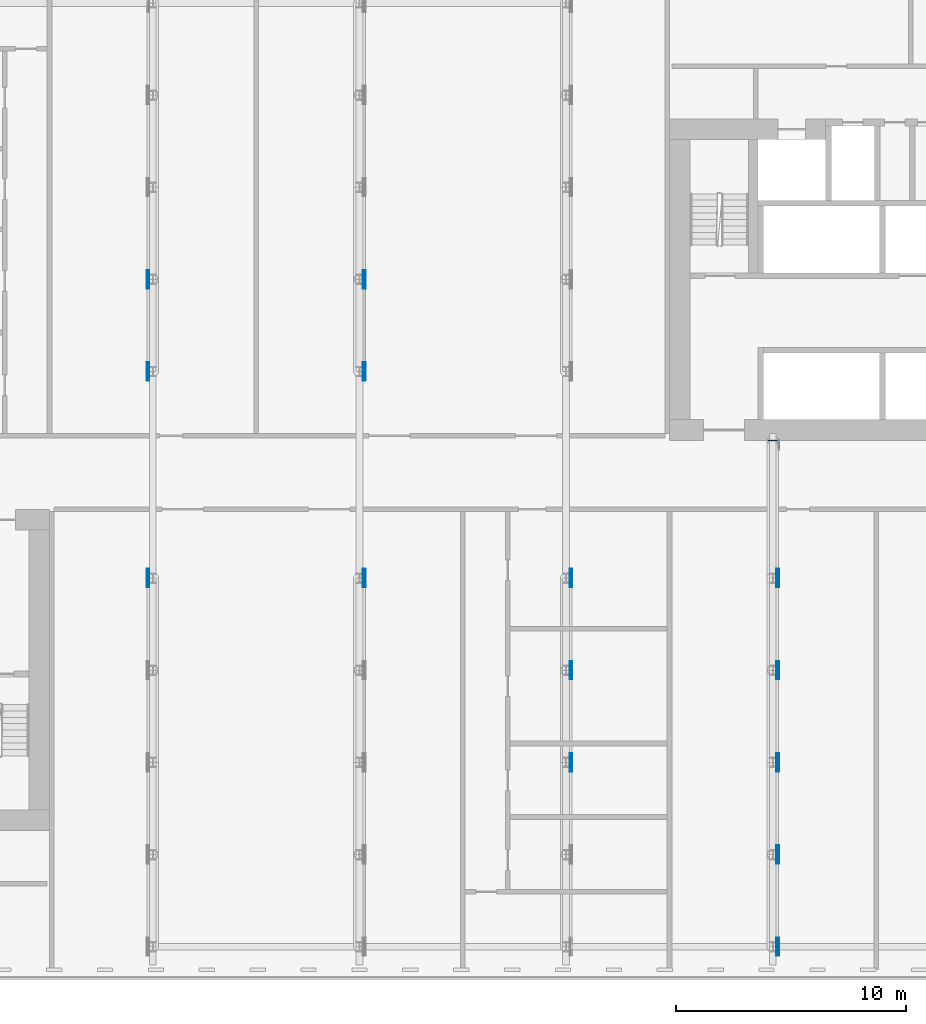
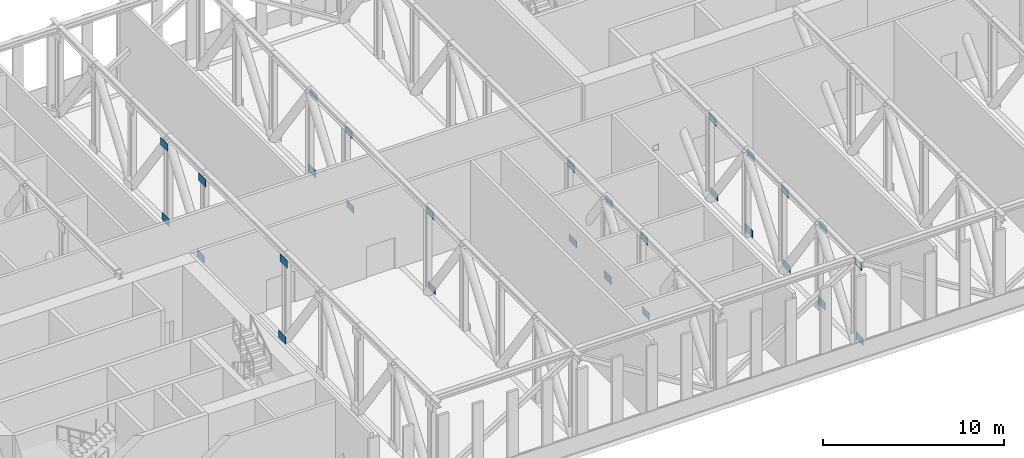
# One storey, part 12 of 26: 29 discrete accessories.
"""IFC4 building model written with IfcOpenShell, lengths in metres."""

import ifcopenshell
import ifcopenshell.guid

model = None  # the IFC model being written
_history = None  # IfcOwnerHistory: only IFC2X3 demands one
_inside = {}  # id of a spatial element -> (the spatial element, [elements in it])
_under = {}  # id of a project, library or spatial element -> (it, [spatial elements below it])
_declared = {}  # id of a project -> (the project, [libraries it declares])
_typed = {}  # id of a type object -> (the type object, [elements of that type])
_made_of = {}  # id of a material, layer set ... -> (it, [elements and type objects made of it])


def new_model(schema):
    """Start an empty IFC model of exactly this schema.

    Asked for "IFC4X3", IfcOpenShell would pick the latest addendum, in which some entities
    have other attributes; the version numbers below select the first issue.
    IFC2X3 requires an IfcOwnerHistory on every rooted entity: one is made here for all.
    """
    global model, _history
    if schema == "IFC4X3":
        model = ifcopenshell.file(schema_version=(4, 3, 0, 0))
    else:
        model = ifcopenshell.file(schema=schema)
    _inside.clear()
    _under.clear()
    _declared.clear()
    _typed.clear()
    _made_of.clear()
    _history = None
    if model.schema == "IFC2X3":
        org = make("IfcOrganization", Name="unknown")
        user = make(
            "IfcPersonAndOrganization",
            ThePerson=make("IfcPerson", FamilyName="unknown"),
            TheOrganization=org,
        )
        app = make(
            "IfcApplication",
            ApplicationDeveloper=org,
            Version="unknown",
            ApplicationFullName="unknown",
            ApplicationIdentifier="unknown",
        )
        _history = make(
            "IfcOwnerHistory",
            OwningUser=user,
            OwningApplication=app,
            ChangeAction="ADDED",
            CreationDate=0,
        )
    return model


def make(cls, **values):
    """One entity of the class cls with the attributes given. An attribute that is None is left unset."""
    return model.create_entity(
        cls, **{name: value for name, value in values.items() if value is not None}
    )


def rooted(cls, **values):
    """An entity with a GlobalId (a new one), such as an element, a storey or a relation."""
    return make(cls, GlobalId=ifcopenshell.guid.new(), OwnerHistory=_history, **values)


def si_unit(unit_type, name, prefix=None):
    """IfcSIUnit, for example si_unit("LENGTHUNIT", "METRE", prefix="MILLI")."""
    return make("IfcSIUnit", UnitType=unit_type, Prefix=prefix, Name=name)


def assignment(units):
    """IfcUnitAssignment: the units of a project."""
    return None if units is None else make("IfcUnitAssignment", Units=units)


def point(xyz):
    """IfcCartesianPoint."""
    return None if xyz is None else make("IfcCartesianPoint", Coordinates=xyz)


def direction(xyz):
    """IfcDirection."""
    return None if xyz is None else make("IfcDirection", DirectionRatios=xyz)


def frame(location, z_axis=None, x_axis=None):
    """IfcAxis2Placement3D, a coordinate frame: its origin and axes. An axis left out is left unset."""
    return make(
        "IfcAxis2Placement3D",
        Location=point(location),
        Axis=direction(z_axis),
        RefDirection=direction(x_axis),
    )


def origin():
    """The frame at (0, 0, 0) with its axes left unset."""
    return frame((0.0, 0.0, 0.0))


def place(relative_to, where):
    """IfcLocalPlacement: puts the frame where relative to a parent placement (None: the world)."""
    return make(
        "IfcLocalPlacement", PlacementRelTo=relative_to, RelativePlacement=where
    )


def context(
    kind, dimensions, precision=None, world=None, true_north=None, identifier=None
):
    """IfcGeometricRepresentationContext, for example the 3D "Model" context."""
    return make(
        "IfcGeometricRepresentationContext",
        ContextIdentifier=identifier,
        ContextType=kind,
        CoordinateSpaceDimension=dimensions,
        Precision=precision,
        WorldCoordinateSystem=world,
        TrueNorth=true_north,
    )


def subcontext(parent, identifier, kind, view, scale=None):
    """IfcGeometricRepresentationSubContext, for example "Body" below "Model"."""
    return make(
        "IfcGeometricRepresentationSubContext",
        ContextIdentifier=identifier,
        ContextType=kind,
        ParentContext=parent,
        TargetScale=scale,
        TargetView=view,
    )


def project(units=None, contexts=None):
    """IfcProject with its units and contexts."""
    return rooted(
        "IfcProject",
        Name="project",
        RepresentationContexts=contexts,
        UnitsInContext=assignment(units),
    )


def spatial(cls, under=None, at=None, **own):
    """A site, building, storey or space (cls), placed at a placement, below another one or the project."""
    s = rooted(cls, ObjectPlacement=at, **own)
    if under is not None:
        _under.setdefault(under.id(), (under, []))[1].append(s)
    return s


def polyline(points):
    """IfcPolyline through the points."""
    return make("IfcPolyline", Points=[point(p) for p in points])


def outline(outer, holes=None, kind="AREA"):
    """IfcArbitraryClosedProfileDef: a profile drawn as a closed curve; with holes, ...WithVoids."""
    if holes is None:
        return make("IfcArbitraryClosedProfileDef", ProfileType=kind, OuterCurve=outer)
    return make(
        "IfcArbitraryProfileDefWithVoids",
        ProfileType=kind,
        OuterCurve=outer,
        InnerCurves=holes,
    )


def extrude(swept, where, along, depth):
    """IfcExtrudedAreaSolid: the profile swept, set in the frame where, extruded along a direction by depth."""
    return make(
        "IfcExtrudedAreaSolid",
        SweptArea=swept,
        Position=where,
        ExtrudedDirection=direction(along),
        Depth=depth,
    )


def shape(context_of_items, identifier, shape_type, items):
    """IfcShapeRepresentation: the items that make up one representation, for example the "Body"."""
    return make(
        "IfcShapeRepresentation",
        ContextOfItems=context_of_items,
        RepresentationIdentifier=identifier,
        RepresentationType=shape_type,
        Items=items,
    )


def material(Name=None, Category=None):
    """IfcMaterial."""
    return make("IfcMaterial", Name=Name, Category=Category)


def layer(
    of_material, thickness, ventilated=None, Name=None, Category=None, Priority=None
):
    """IfcMaterialLayer: one layer of a wall or slab, of a material (None: an air gap)."""
    return make(
        "IfcMaterialLayer",
        Material=of_material,
        LayerThickness=thickness,
        IsVentilated=ventilated,
        Name=Name,
        Category=Category,
        Priority=Priority,
    )


def layer_set(layers, Name=None):
    """IfcMaterialLayerSet."""
    return make("IfcMaterialLayerSet", MaterialLayers=layers, LayerSetName=Name)


def made_of(thing, what):
    """Note that an element or type object is made of a material, layer set ...; save() writes the relation."""
    if what is not None:
        _made_of.setdefault(what.id(), (what, []))[1].append(thing)
    return thing


def type_object(cls, material=None, **own):
    """A type object (cls), such as IfcWallType, which elements share."""
    return made_of(rooted(cls, **own), material)


def element(
    cls,
    number,
    at=None,
    inside=None,
    cuts=None,
    type_object=None,
    material=None,
    context=None,
    identifier="Body",
    shape_type=None,
    held_by="IfcProductDefinitionShape",
    body=None,
    shapes=None,
    **own,
):
    """One element of the class cls, such as IfcWall. Its Tag is "e" and its number.

    at: its placement. inside: the storey or other place that contains it. cuts: it is an
    opening in that element (IfcRelVoidsElement). A single representation is given by context,
    identifier, shape_type and body (its items); several are given by shapes. held_by: the class
    of the entity that holds the representations. save() writes the other relations.
    """
    e = rooted(cls, Tag="e%d" % number, ObjectPlacement=at, **own)
    if body is not None:
        shapes = [shape(context, identifier, shape_type, body)]
    if shapes is not None:
        e.Representation = make(held_by, Representations=shapes)
    if inside is not None:
        _inside.setdefault(inside.id(), (inside, []))[1].append(e)
    if cuts is not None:
        rooted(
            "IfcRelVoidsElement", RelatingBuildingElement=cuts, RelatedOpeningElement=e
        )
    if type_object is not None:
        _typed.setdefault(type_object.id(), (type_object, []))[1].append(e)
    return made_of(e, material)


def aggregate(whole, parts):
    """IfcRelAggregates: a whole, such as a stair, and the parts it consists of."""
    return rooted("IfcRelAggregates", RelatingObject=whole, RelatedObjects=parts)


def save(model, path):
    """Write the relations noted so far, then the file.

    IfcRelAggregates (storeys below a building ...), IfcRelContainedInSpatialStructure (elements
    in a storey), IfcRelDefinesByType, IfcRelAssociatesMaterial and IfcRelDeclares: one each for
    every whole, place, type object, material and project.
    """
    for whole, parts in _under.values():
        aggregate(whole, parts)
    for where, things in _inside.values():
        rooted(
            "IfcRelContainedInSpatialStructure",
            RelatedElements=things,
            RelatingStructure=where,
        )
    for kind, things in _typed.values():
        rooted("IfcRelDefinesByType", RelatedObjects=things, RelatingType=kind)
    for what, things in _made_of.values():
        rooted("IfcRelAssociatesMaterial", RelatedObjects=things, RelatingMaterial=what)
    for by, libraries in _declared.values():
        rooted("IfcRelDeclares", RelatingContext=by, RelatedDefinitions=libraries)
    model.write(path)


model = new_model("IFC4")

# Units and contexts
model_context = context("Model", 3, precision=1e-05, world=origin(), true_north=direction((0.0, 1.0)))
body_context = subcontext(model_context, "Body", "Model", "MODEL_VIEW")
ifc_project = project(units=[si_unit("LENGTHUNIT", "METRE"), si_unit("AREAUNIT", "SQUARE_METRE"), si_unit("VOLUMEUNIT", "CUBIC_METRE"), si_unit("PLANEANGLEUNIT", "RADIAN"), si_unit("MASSUNIT", "GRAM", prefix="KILO")], contexts=[model_context])

# Site, building, storey
site_placement = place(None, origin())
site = spatial("IfcSite", under=ifc_project, at=site_placement, CompositionType="ELEMENT")
building_placement = place(site_placement, origin())
building = spatial("IfcBuilding", under=site, at=building_placement, Name="Kajstack Hotel Tower", CompositionType="ELEMENT")
storey_placement = place(building_placement, frame((0.0, 0.0, 47.0)))
storey = spatial("IfcBuildingStorey", under=building, at=storey_placement, Name="L07", CompositionType="ELEMENT", Elevation=47.0)

# Discrete accessories
ifc_material = material(Name="Steel S355J2", Category="steel")
ifc_layer_1 = layer(ifc_material, 0.02490234375)
ifc_layer_set_1 = layer_set([ifc_layer_1], Name="CAST-IN PLATE")
discrete_accessory_type_1 = type_object("IfcDiscreteAccessoryType", Name="CAST-IN PLATE", PredefinedType="BRACKET", material=ifc_layer_set_1)
discrete_accessory_1_placement = place(storey_placement, frame((18.0, 1.47509765625, -0.14990234375), z_axis=(0.0, 1.0, 0.0), x_axis=(-1.0, 0.0, 0.0)))
element("IfcDiscreteAccessory", 1, at=discrete_accessory_1_placement, inside=storey, type_object=discrete_accessory_type_1, Name="Cast-in plate L07-001", PredefinedType="BRACKET", context=body_context, shape_type="SweptSolid", body=[
    extrude(outline(polyline([(-0.199951171875, -0.199951171875), (0.199951171875, -0.199951171875), (0.199951171875, 0.199951171875), (-0.199951171875, 0.199951171875), (-0.199951171875, -0.199951171875)]), holes=[polyline([(-0.14990234375, -0.14990234375), (-0.14990234375, 0.14990234375), (0.14990234375, 0.14990234375), (0.14990234375, -0.14990234375), (-0.14990234375, -0.14990234375)])]), origin(), (0.0, 0.0, 1.0), 0.02490234375),
])
ifc_layer_2 = layer(ifc_material, 0.02001953125)
ifc_layer_set_2 = layer_set([ifc_layer_2], Name="GUSSET PLATE")
discrete_accessory_type_2 = type_object("IfcDiscreteAccessoryType", Name="GUSSET PLATE", PredefinedType="BRACKET", material=ifc_layer_set_2)
for number, where, z_axis, x_axis, name in (
    (2, (-9.27392578125, -4.5, 0.0), (1.0, 0.0, 0.0), (0.0, 1.0, 0.0), "Gusset plate L07-051"),
    (3, (-9.173583984375, -4.5, 5.10009765625), (1.0, 0.0, 0.0), (0.0, 1.0, 0.0), "Gusset plate L07-052"),
    (4, (-9.27392578125, 4.5, 0.0), (1.0, 0.0, 0.0), (0.0, 1.0, 0.0), "Gusset plate L07-053"),
    (5, (-9.173583984375, 4.5, 5.10009765625), (1.0, 0.0, 0.0), (0.0, 1.0, 0.0), "Gusset plate L07-054"),
    (6, (-9.173583984375, 8.512451171875, 0.0), (1.0, 0.0, 0.0), (0.0, 1.0, 0.0), "Gusset plate L07-055"),
    (7, (-9.27392578125, 8.512451171875, 5.10009765625), (1.0, 0.0, 0.0), (0.0, 1.0, 0.0), "Gusset plate L07-056"),
    (8, (0.25390625, -4.5, 0.0), (1.0, 0.0, 0.0), (0.0, 1.0, 0.0), "Gusset plate L07-072"),
    (9, (0.153564453125, -4.5, 5.10009765625), (1.0, 0.0, 0.0), (0.0, 1.0, 0.0), "Gusset plate L07-073"),
    (10, (0.25390625, 4.5, 0.0), (1.0, 0.0, 0.0), (0.0, 1.0, 0.0), "Gusset plate L07-074"),
    (11, (0.153564453125, 4.5, 5.10009765625), (1.0, 0.0, 0.0), (0.0, 1.0, 0.0), "Gusset plate L07-075"),
    (12, (0.153564453125, 8.512451171875, 0.0), (1.0, 0.0, 0.0), (0.0, 1.0, 0.0), "Gusset plate L07-076"),
    (13, (0.25390625, 8.512451171875, 5.10009765625), (1.0, 0.0, 0.0), (0.0, 1.0, 0.0), "Gusset plate L07-077"),
    (14, (9.25390625, -12.52490234375, 0.0), (1.0, 0.0, 0.0), (0.0, 1.0, 0.0), "Gusset plate L07-089"),
    (15, (9.153564453125, -12.52490234375, 5.10009765625), (1.0, 0.0, 0.0), (0.0, 1.0, 0.0), "Gusset plate L07-090"),
    (16, (9.153564453125, -8.512451171875, 0.0), (1.0, 0.0, 0.0), (0.0, 1.0, 0.0), "Gusset plate L07-091"),
    (17, (9.25390625, -8.512451171875, 5.10009765625), (1.0, 0.0, 0.0), (0.0, 1.0, 0.0), "Gusset plate L07-092"),
    (18, (9.25390625, -4.5, 0.0), (1.0, 0.0, 0.0), (0.0, 1.0, 0.0), "Gusset plate L07-093"),
    (19, (9.153564453125, -4.5, 5.10009765625), (1.0, 0.0, 0.0), (0.0, 1.0, 0.0), "Gusset plate L07-094"),
    (20, (18.25390625, -20.550048828125, 0.0), (1.0, 0.0, 0.0), (0.0, 1.0, 0.0), "Gusset plate L07-105"),
):
    element("IfcDiscreteAccessory", number, at=place(storey_placement, frame(where, z_axis=z_axis, x_axis=x_axis)), inside=storey, type_object=discrete_accessory_type_2, Name=name, PredefinedType="BRACKET", context=body_context, shape_type="SweptSolid", body=[
        extrude(outline(polyline([(-0.39990234375, 0.0), (0.39990234375, 0.0), (0.39990234375, 0.5), (-0.39990234375, 0.5), (-0.39990234375, 0.0)])), origin(), (0.0, 0.0, 1.0), 0.02001953125),
    ])
discrete_accessory_2_placement = place(storey_placement, frame((18.153564453125, -20.550048828125, 5.10009765625), z_axis=(1.0, 0.0, 0.0), x_axis=(0.0, 1.0, 0.0)))
element("IfcDiscreteAccessory", 21, at=discrete_accessory_2_placement, inside=storey, type_object=discrete_accessory_type_2, Name="Gusset plate L07-106", PredefinedType="BRACKET", context=body_context, shape_type="SweptSolid", body=[
    extrude(outline(polyline([(0.39990234375, 0.5), (0.22216796875, 0.5), (0.22119140625, 0.230224609375), (0.2177734375, 0.208740234375), (0.212646484375, 0.1875), (0.205322265625, 0.1669921875), (0.19580078125, 0.147216796875), (0.184814453125, 0.128662109375), (0.171630859375, 0.111083984375), (0.156982421875, 0.094970703125), (0.140869140625, 0.080322265625), (0.12353515625, 0.0673828125), (0.104736328125, 0.05615234375), (0.0849609375, 0.046875), (0.064453125, 0.03955078125), (0.04345703125, 0.0341796875), (0.021728515625, 0.031005859375), (0.0, 0.02978515625), (-0.021728515625, 0.031005859375), (-0.04345703125, 0.0341796875), (-0.064453125, 0.03955078125), (-0.0849609375, 0.046875), (-0.104736328125, 0.05615234375), (-0.12353515625, 0.0673828125), (-0.140869140625, 0.080322265625), (-0.156982421875, 0.094970703125), (-0.171630859375, 0.111083984375), (-0.184814453125, 0.128662109375), (-0.19580078125, 0.147216796875), (-0.205322265625, 0.1669921875), (-0.212646484375, 0.1875), (-0.2177734375, 0.208740234375), (-0.22119140625, 0.230224609375), (-0.22216796875, 0.5), (-0.39990234375, 0.5), (-0.39990234375, 0.0), (0.39990234375, 0.0), (0.39990234375, 0.5)])), origin(), (0.0, 0.0, 1.0), 0.02001953125),
])
for number, where, z_axis, x_axis, name in (
    (22, (18.153564453125, -16.53759765625, 0.0), (1.0, 0.0, 0.0), (0.0, 1.0, 0.0), "Gusset plate L07-107"),
    (23, (18.25390625, -16.53759765625, 5.10009765625), (1.0, 0.0, 0.0), (0.0, 1.0, 0.0), "Gusset plate L07-108"),
    (24, (18.25390625, -12.52490234375, 0.0), (1.0, 0.0, 0.0), (0.0, 1.0, 0.0), "Gusset plate L07-109"),
    (25, (18.153564453125, -12.52490234375, 5.10009765625), (1.0, 0.0, 0.0), (0.0, 1.0, 0.0), "Gusset plate L07-110"),
    (26, (18.153564453125, -8.512451171875, 0.0), (1.0, 0.0, 0.0), (0.0, 1.0, 0.0), "Gusset plate L07-111"),
    (27, (18.25390625, -8.512451171875, 5.10009765625), (1.0, 0.0, 0.0), (0.0, 1.0, 0.0), "Gusset plate L07-112"),
    (28, (18.25390625, -4.5, 0.0), (1.0, 0.0, 0.0), (0.0, 1.0, 0.0), "Gusset plate L07-113"),
    (29, (18.153564453125, -4.5, 5.10009765625), (1.0, 0.0, 0.0), (0.0, 1.0, 0.0), "Gusset plate L07-114"),
):
    element("IfcDiscreteAccessory", number, at=place(storey_placement, frame(where, z_axis=z_axis, x_axis=x_axis)), inside=storey, type_object=discrete_accessory_type_2, Name=name, PredefinedType="BRACKET", context=body_context, shape_type="SweptSolid", body=[
        extrude(outline(polyline([(-0.39990234375, 0.0), (0.39990234375, 0.0), (0.39990234375, 0.5), (-0.39990234375, 0.5), (-0.39990234375, 0.0)])), origin(), (0.0, 0.0, 1.0), 0.02001953125),
    ])

save(model, "model.ifc")
